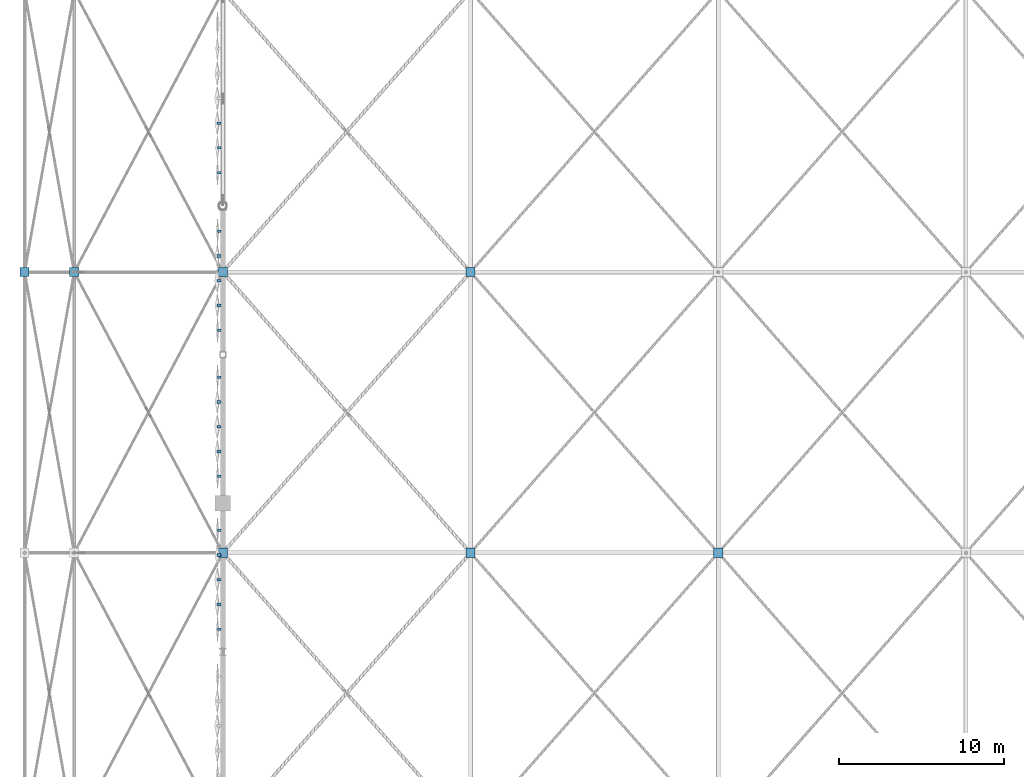
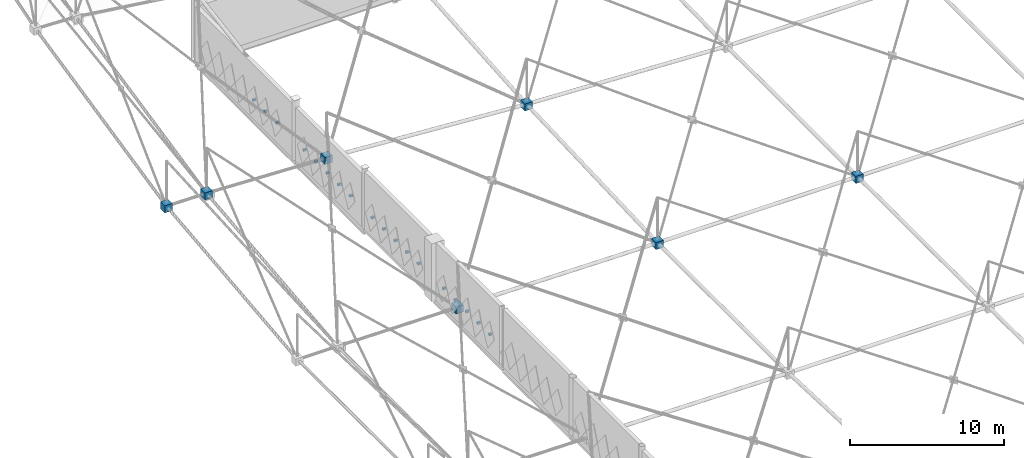
# One storey, part 208 of 224: 25 discrete accessories.
"""IFC4 building model written with IfcOpenShell, lengths in metres."""

from ifc_helpers import new_model, si_unit, direction, frame, origin, origin_2d, place, context, subcontext, project, spatial, rectangle, extrude, material, type_object, element, save


model = new_model("IFC4")

# Units and contexts
model_context = context("Model", 3, precision=1e-05, world=origin(), true_north=direction((0.0, 1.0)))
body_context = subcontext(model_context, "Body", "Model", "MODEL_VIEW")
ifc_project = project(units=[si_unit("LENGTHUNIT", "METRE"), si_unit("AREAUNIT", "SQUARE_METRE"), si_unit("VOLUMEUNIT", "CUBIC_METRE"), si_unit("PLANEANGLEUNIT", "RADIAN"), si_unit("MASSUNIT", "GRAM", prefix="KILO")], contexts=[model_context])

# Site, building, storey
site_placement = place(None, origin())
site = spatial("IfcSite", under=ifc_project, at=site_placement, CompositionType="ELEMENT")
building_placement = place(site_placement, origin())
building = spatial("IfcBuilding", under=site, at=building_placement, Name="Qamarlyn Nura Convention Centre", CompositionType="ELEMENT")
storey_placement = place(building_placement, frame((0.0, 0.0, 10.800048828125)))
storey = spatial("IfcBuildingStorey", under=building, at=storey_placement, Name="L02", CompositionType="ELEMENT", Elevation=10.800048828125)

# Discrete accessories
ifc_material_1 = material(Name="Pearl-white PVDF steel ASTM A500 Grade C", Category="steel")
discrete_accessory_type_1 = type_object("IfcDiscreteAccessoryType", Name="ACC-SF-NODE", PredefinedType="USERDEFINED", material=ifc_material_1)
for number, where, z_axis, x_axis, name in (
    (1, (-12.0, 86.0, 2.57763671875), (0.0, 0.0, 1.0), (1.0, 0.0, 0.0), "Cast space frame node BC-0-6"),
    (2, (-9.0, 86.0, 2.552001953125), (0.0, 0.0, 1.0), (1.0, 0.0, 0.0), "Cast space frame node BC-1-6"),
    (3, (0.0, 69.0, 0.6572265625), (0.0, 0.0, 1.0), (1.0, 0.0, 0.0), "Cast space frame node BC-2-5"),
    (4, (0.0, 86.0, 2.20361328125), (0.0, 0.0, 1.0), (1.0, 0.0, 0.0), "Cast space frame node BC-2-6"),
    (5, (15.0, 69.0, 0.521240234375), (0.0, 0.0, 1.0), (1.0, 0.0, 0.0), "Cast space frame node BC-3-5"),
    (6, (15.0, 86.0, 1.200439453125), (0.0, 0.0, 1.0), (1.0, 0.0, 0.0), "Cast space frame node BC-3-6"),
    (7, (30.0, 69.0, 0.52001953125), (0.0, 0.0, 1.0), (1.0, 0.0, 0.0), "Cast space frame node BC-4-5"),
):
    element("IfcDiscreteAccessory", number, at=place(storey_placement, frame(where, z_axis=z_axis, x_axis=x_axis)), inside=storey, type_object=discrete_accessory_type_1, Name=name, ObjectType="SPACE FRAME NODE", PredefinedType="USERDEFINED", context=body_context, shape_type="SweptSolid", body=[
        extrude(rectangle(XDim=0.56005859375, YDim=0.56005859375, at=origin_2d()), origin(), (0.0, 0.0, 1.0), 0.56005859375),
    ])
ifc_material_2 = material(Name="Marine Grade 316 stainless steel", Category="steel")
discrete_accessory_type_2 = type_object("IfcDiscreteAccessoryType", Name="ACC-TILE-BRK", PredefinedType="BRACKET", material=ifc_material_2)
discrete_accessory_1_placement = place(storey_placement, frame((-0.218994140625, 64.368896484375, 1.6201171875), z_axis=(0.0, 0.0, 1.0), x_axis=(-1.0, 0.0, 0.0)))
element("IfcDiscreteAccessory", 8, at=discrete_accessory_1_placement, inside=storey, type_object=discrete_accessory_type_2, Name="L02 diamond tile pivot bracket 0220", PredefinedType="BRACKET", context=body_context, shape_type="SweptSolid", body=[
    extrude(rectangle(XDim=0.218017578125, YDim=0.159912109375, at=origin_2d()), origin(), (0.0, 0.0, 1.0), 0.159912109375),
])
discrete_accessory_2_placement = place(storey_placement, frame((-0.224365234375, 65.868896484375, 1.6201171875), z_axis=(0.0, 0.0, 1.0), x_axis=(-1.0, 0.0, 0.0)))
element("IfcDiscreteAccessory", 9, at=discrete_accessory_2_placement, inside=storey, type_object=discrete_accessory_type_2, Name="L02 diamond tile pivot bracket 0221", PredefinedType="BRACKET", context=body_context, shape_type="SweptSolid", body=[
    extrude(rectangle(XDim=0.228515625, YDim=0.159912109375, at=origin_2d()), origin(), (0.0, 0.0, 1.0), 0.159912109375),
])
discrete_accessory_3_placement = place(storey_placement, frame((-0.2265625, 67.368896484375, 1.6201171875), z_axis=(0.0, 0.0, 1.0), x_axis=(-1.0, 0.0, 0.0)))
element("IfcDiscreteAccessory", 10, at=discrete_accessory_3_placement, inside=storey, type_object=discrete_accessory_type_2, Name="L02 diamond tile pivot bracket 0222", PredefinedType="BRACKET", context=body_context, shape_type="SweptSolid", body=[
    extrude(rectangle(XDim=0.23291015625, YDim=0.159912109375, at=origin_2d()), origin(), (0.0, 0.0, 1.0), 0.159912109375),
])
discrete_accessory_4_placement = place(storey_placement, frame((-0.224365234375, 68.868896484375, 1.6201171875), z_axis=(0.0, 0.0, 1.0), x_axis=(-1.0, 0.0, 0.0)))
element("IfcDiscreteAccessory", 11, at=discrete_accessory_4_placement, inside=storey, type_object=discrete_accessory_type_2, Name="L02 diamond tile pivot bracket 0223", PredefinedType="BRACKET", context=body_context, shape_type="SweptSolid", body=[
    extrude(rectangle(XDim=0.228515625, YDim=0.159912109375, at=origin_2d()), origin(), (0.0, 0.0, 1.0), 0.159912109375),
])
for number, where, z_axis, x_axis, name in (
    (12, (-0.218994140625, 70.368896484375, 1.6201171875), (0.0, 0.0, 1.0), (-1.0, 0.0, 0.0), "L02 diamond tile pivot bracket 0224"),
    (13, (-0.218994140625, 73.635986328125, 1.6201171875), (0.0, 0.0, 1.0), (-1.0, 0.0, 0.0), "L02 diamond tile pivot bracket 0225"),
):
    element("IfcDiscreteAccessory", number, at=place(storey_placement, frame(where, z_axis=z_axis, x_axis=x_axis)), inside=storey, type_object=discrete_accessory_type_2, Name=name, PredefinedType="BRACKET", context=body_context, shape_type="SweptSolid", body=[
        extrude(rectangle(XDim=0.218017578125, YDim=0.159912109375, at=origin_2d()), origin(), (0.0, 0.0, 1.0), 0.159912109375),
    ])
discrete_accessory_5_placement = place(storey_placement, frame((-0.224365234375, 75.135986328125, 1.6201171875), z_axis=(0.0, 0.0, 1.0), x_axis=(-1.0, 0.0, 0.0)))
element("IfcDiscreteAccessory", 14, at=discrete_accessory_5_placement, inside=storey, type_object=discrete_accessory_type_2, Name="L02 diamond tile pivot bracket 0226", PredefinedType="BRACKET", context=body_context, shape_type="SweptSolid", body=[
    extrude(rectangle(XDim=0.228515625, YDim=0.159912109375, at=origin_2d()), origin(), (0.0, 0.0, 1.0), 0.159912109375),
])
discrete_accessory_6_placement = place(storey_placement, frame((-0.2265625, 76.635986328125, 1.6201171875), z_axis=(0.0, 0.0, 1.0), x_axis=(-1.0, 0.0, 0.0)))
element("IfcDiscreteAccessory", 15, at=discrete_accessory_6_placement, inside=storey, type_object=discrete_accessory_type_2, Name="L02 diamond tile pivot bracket 0227", PredefinedType="BRACKET", context=body_context, shape_type="SweptSolid", body=[
    extrude(rectangle(XDim=0.23291015625, YDim=0.159912109375, at=origin_2d()), origin(), (0.0, 0.0, 1.0), 0.159912109375),
])
discrete_accessory_7_placement = place(storey_placement, frame((-0.224365234375, 78.135986328125, 1.6201171875), z_axis=(0.0, 0.0, 1.0), x_axis=(-1.0, 0.0, 0.0)))
element("IfcDiscreteAccessory", 16, at=discrete_accessory_7_placement, inside=storey, type_object=discrete_accessory_type_2, Name="L02 diamond tile pivot bracket 0228", PredefinedType="BRACKET", context=body_context, shape_type="SweptSolid", body=[
    extrude(rectangle(XDim=0.228515625, YDim=0.159912109375, at=origin_2d()), origin(), (0.0, 0.0, 1.0), 0.159912109375),
])
for number, where, z_axis, x_axis, name in (
    (17, (-0.218994140625, 79.635986328125, 1.6201171875), (0.0, 0.0, 1.0), (-1.0, 0.0, 0.0), "L02 diamond tile pivot bracket 0229"),
    (18, (-0.218994140625, 82.474609375, 1.6201171875), (0.0, 0.0, 1.0), (-1.0, 0.0, 0.0), "L02 diamond tile pivot bracket 0230"),
):
    element("IfcDiscreteAccessory", number, at=place(storey_placement, frame(where, z_axis=z_axis, x_axis=x_axis)), inside=storey, type_object=discrete_accessory_type_2, Name=name, PredefinedType="BRACKET", context=body_context, shape_type="SweptSolid", body=[
        extrude(rectangle(XDim=0.218017578125, YDim=0.159912109375, at=origin_2d()), origin(), (0.0, 0.0, 1.0), 0.159912109375),
    ])
discrete_accessory_8_placement = place(storey_placement, frame((-0.224365234375, 83.974609375, 1.6201171875), z_axis=(0.0, 0.0, 1.0), x_axis=(-1.0, 0.0, 0.0)))
element("IfcDiscreteAccessory", 19, at=discrete_accessory_8_placement, inside=storey, type_object=discrete_accessory_type_2, Name="L02 diamond tile pivot bracket 0231", PredefinedType="BRACKET", context=body_context, shape_type="SweptSolid", body=[
    extrude(rectangle(XDim=0.228515625, YDim=0.159912109375, at=origin_2d()), origin(), (0.0, 0.0, 1.0), 0.159912109375),
])
discrete_accessory_9_placement = place(storey_placement, frame((-0.2265625, 85.474609375, 1.6201171875), z_axis=(0.0, 0.0, 1.0), x_axis=(-1.0, 0.0, 0.0)))
element("IfcDiscreteAccessory", 20, at=discrete_accessory_9_placement, inside=storey, type_object=discrete_accessory_type_2, Name="L02 diamond tile pivot bracket 0232", PredefinedType="BRACKET", context=body_context, shape_type="SweptSolid", body=[
    extrude(rectangle(XDim=0.23291015625, YDim=0.159912109375, at=origin_2d()), origin(), (0.0, 0.0, 1.0), 0.159912109375),
])
discrete_accessory_10_placement = place(storey_placement, frame((-0.224365234375, 86.974609375, 1.6201171875), z_axis=(0.0, 0.0, 1.0), x_axis=(-1.0, 0.0, 0.0)))
element("IfcDiscreteAccessory", 21, at=discrete_accessory_10_placement, inside=storey, type_object=discrete_accessory_type_2, Name="L02 diamond tile pivot bracket 0233", PredefinedType="BRACKET", context=body_context, shape_type="SweptSolid", body=[
    extrude(rectangle(XDim=0.228515625, YDim=0.159912109375, at=origin_2d()), origin(), (0.0, 0.0, 1.0), 0.159912109375),
])
discrete_accessory_11_placement = place(storey_placement, frame((-0.218994140625, 88.474609375, 1.6201171875), z_axis=(0.0, 0.0, 1.0), x_axis=(-1.0, 0.0, 0.0)))
element("IfcDiscreteAccessory", 22, at=discrete_accessory_11_placement, inside=storey, type_object=discrete_accessory_type_2, Name="L02 diamond tile pivot bracket 0234", PredefinedType="BRACKET", context=body_context, shape_type="SweptSolid", body=[
    extrude(rectangle(XDim=0.218017578125, YDim=0.159912109375, at=origin_2d()), origin(), (0.0, 0.0, 1.0), 0.159912109375),
])
discrete_accessory_12_placement = place(storey_placement, frame((-0.217529296875, 92.020751953125, 1.6201171875), z_axis=(0.0, 0.0, 1.0), x_axis=(-1.0, 0.0, 0.0)))
element("IfcDiscreteAccessory", 23, at=discrete_accessory_12_placement, inside=storey, type_object=discrete_accessory_type_2, Name="L02 diamond tile pivot bracket 0235", PredefinedType="BRACKET", context=body_context, shape_type="SweptSolid", body=[
    extrude(rectangle(XDim=0.215087890625, YDim=0.159912109375, at=origin_2d()), origin(), (0.0, 0.0, 1.0), 0.159912109375),
])
discrete_accessory_13_placement = place(storey_placement, frame((-0.22119140625, 93.520751953125, 1.6201171875), z_axis=(0.0, 0.0, 1.0), x_axis=(-1.0, 0.0, 0.0)))
element("IfcDiscreteAccessory", 24, at=discrete_accessory_13_placement, inside=storey, type_object=discrete_accessory_type_2, Name="L02 diamond tile pivot bracket 0236", PredefinedType="BRACKET", context=body_context, shape_type="SweptSolid", body=[
    extrude(rectangle(XDim=0.222412109375, YDim=0.159912109375, at=origin_2d()), origin(), (0.0, 0.0, 1.0), 0.159912109375),
])
discrete_accessory_14_placement = place(storey_placement, frame((-0.2265625, 95.020751953125, 1.6201171875), z_axis=(0.0, 0.0, 1.0), x_axis=(-1.0, 0.0, 0.0)))
element("IfcDiscreteAccessory", 25, at=discrete_accessory_14_placement, inside=storey, type_object=discrete_accessory_type_2, Name="L02 diamond tile pivot bracket 0237", PredefinedType="BRACKET", context=body_context, shape_type="SweptSolid", body=[
    extrude(rectangle(XDim=0.23291015625, YDim=0.159912109375, at=origin_2d()), origin(), (0.0, 0.0, 1.0), 0.159912109375),
])

save(model, "model.ifc")
